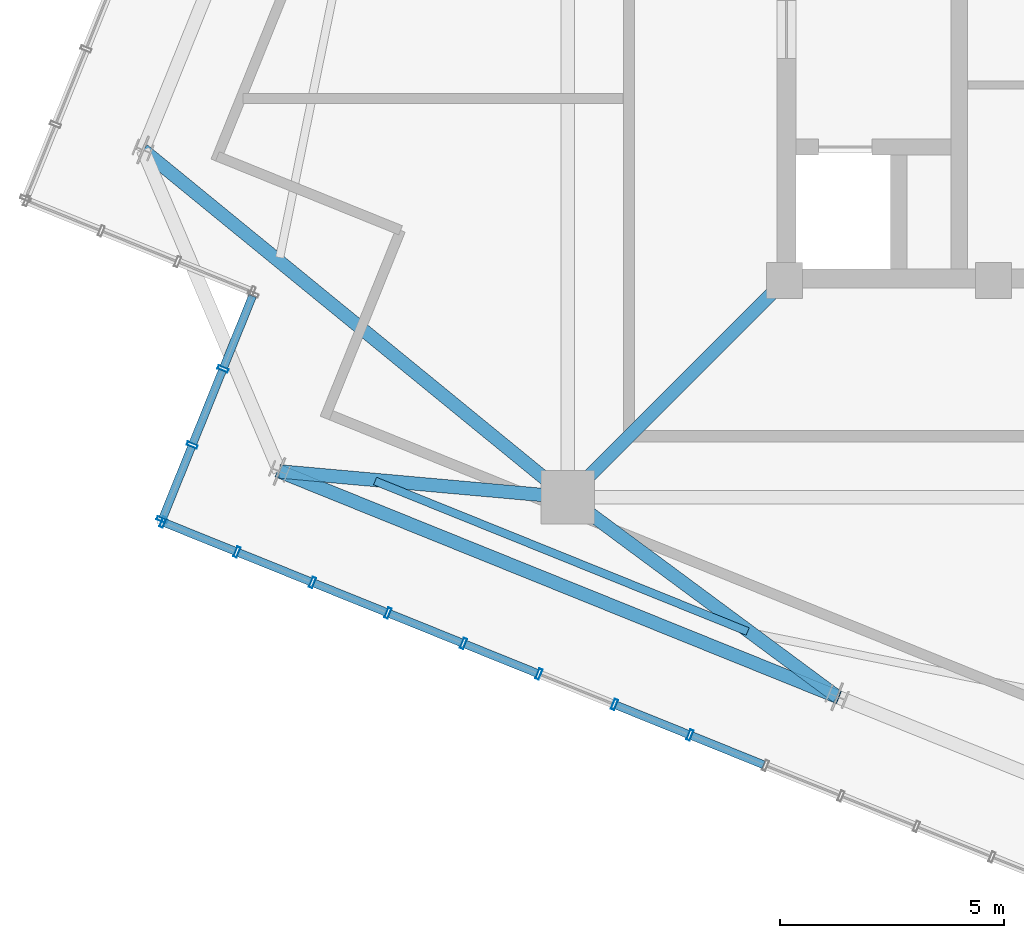
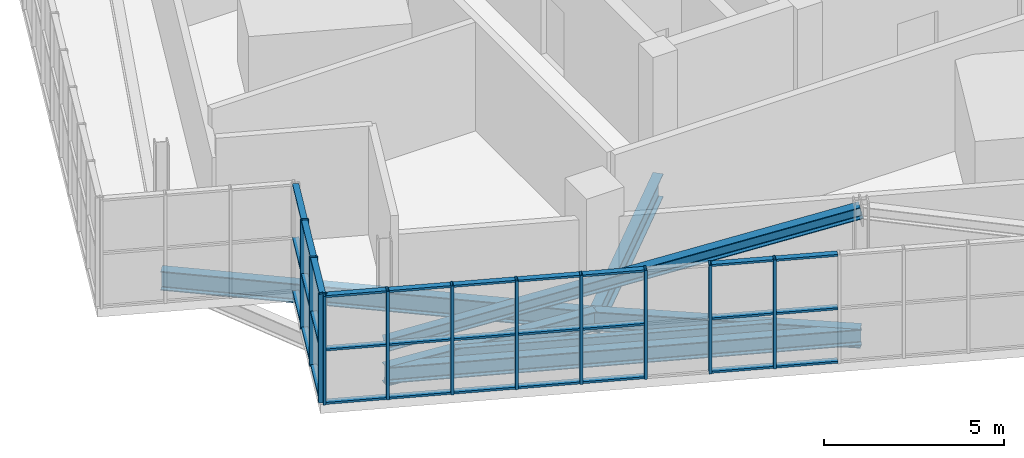
# One storey, part 3 of 26: 42 members, 6 beams, 2 elements without a shape of their own.
"""IFC4 building model written with IfcOpenShell, lengths in metres."""

from ifc_helpers import new_model, si_unit, direction, frame, origin, origin_2d, place, context, subcontext, project, spatial, hollow_rectangle, i_section, extrude, source, transform, mapped, material, layer, layer_set, material_profile, profile_set, type_object, element, aggregate, save


model = new_model("IFC4")

# Units and contexts
model_context = context("Model", 3, precision=1e-05, world=origin(), true_north=direction((0.0, 1.0)))
body_context = subcontext(model_context, "Body", "Model", "MODEL_VIEW")
ifc_project = project(units=[si_unit("LENGTHUNIT", "METRE"), si_unit("AREAUNIT", "SQUARE_METRE"), si_unit("VOLUMEUNIT", "CUBIC_METRE"), si_unit("PLANEANGLEUNIT", "RADIAN"), si_unit("MASSUNIT", "GRAM", prefix="KILO"), si_unit("THERMODYNAMICTEMPERATUREUNIT", "KELVIN")], contexts=[model_context])

# Site, building, storey
site_placement = place(None, origin())
site = spatial("IfcSite", under=ifc_project, at=site_placement, CompositionType="ELEMENT")
building_placement = place(site_placement, origin())
building = spatial("IfcBuilding", under=site, at=building_placement, Name="Kosmvard Interchange Tower", CompositionType="ELEMENT")
storey_placement = place(building_placement, frame((0.0, 0.0, 337.60009765625)))
storey = spatial("IfcBuildingStorey", under=building, at=storey_placement, Name="L83", CompositionType="ELEMENT", Elevation=337.60009765625)

# Beam
ifc_material_1 = material(Name="Steel S355", Category="steel")
ifc_material_profile_1 = material_profile(ifc_material_1, i_section(OverallWidth=0.300048828125, OverallDepth=0.800048828125, WebThickness=0.017578125, FlangeThickness=0.032958984375, FilletRadius=0.027099609375, at=origin_2d()), Name="HEB 800")
ifc_profile_set_1 = profile_set([ifc_material_profile_1], Name="Steel S355")
beam_type_1 = type_object("IfcBeamType", Name="Primary Mega-Frame Girder HEB 800 S355", PredefinedType="BEAM", material=ifc_profile_set_1)
shared_shape_1 = source(origin(), body_context, "Body", "SweptSolid", [
    extrude(i_section(OverallWidth=0.300048828125, OverallDepth=0.800048828125, WebThickness=0.017578125, FlangeThickness=0.032958984375, FilletRadius=0.027099609375, at=origin_2d()), origin(), (0.0, 0.0, 1.0), 6.83203125),
])
beam_1_placement = place(storey_placement, frame((-8.25, -8.25, -0.7001953125), z_axis=(-0.707106781187, -0.707106781187, 0.0), x_axis=(0.707106781187, -0.707106781187, 0.0)))
element("IfcBeam", 1, at=beam_1_placement, inside=storey, type_object=beam_type_1, Name="L83 Radial Mega-Frame Girder 1", PredefinedType="BEAM", context=body_context, shape_type="MappedRepresentation", body=[
    mapped(shared_shape_1, transform((0.0, 0.0, 0.0), scale=1.0)),
])

# Member
ifc_material_profile_2 = material_profile(ifc_material_1, i_section(OverallWidth=0.300048828125, OverallDepth=0.39990234375, WebThickness=0.013427734375, FlangeThickness=0.02392578125, FilletRadius=0.027099609375, at=origin_2d()), Name="HEB 400")
ifc_profile_set_2 = profile_set([ifc_material_profile_2], Name="Steel S355")
member_type_1 = type_object("IfcMemberType", Name="Lantern Crown Diagrid Brace HEB 400 S355", PredefinedType="BRACE", material=ifc_profile_set_2)
shared_shape_2 = source(origin(), body_context, "Body", "SweptSolid", [
    extrude(i_section(OverallWidth=0.300048828125, OverallDepth=0.39990234375, WebThickness=0.013427734375, FlangeThickness=0.02392578125, FilletRadius=0.027099609375, at=origin_2d()), origin(), (0.0, 0.0, 1.0), 13.78369140625),
])
member_1_placement = place(storey_placement, frame((-19.50439453125, -12.504150390625, 0.419921875), z_axis=(0.901373372792, -0.364162635972, 0.234332279859), x_axis=(0.374592580972, 0.927189515839, 0.0)))
element("IfcMember", 2, at=member_1_placement, inside=storey, type_object=member_type_1, Name="L83 Crown Lantern Diagrid Brace W1", PredefinedType="BRACE", context=body_context, shape_type="MappedRepresentation", body=[
    mapped(shared_shape_2, transform((0.0, 0.0, 0.0), scale=1.0)),
])

# Beams
ifc_material_profile_3 = material_profile(ifc_material_1, i_section(OverallWidth=0.300048828125, OverallDepth=0.550048828125, WebThickness=0.014892578125, FlangeThickness=0.029052734375, FilletRadius=0.027099609375, at=origin_2d()), Name="HEB 550")
ifc_profile_set_3 = profile_set([ifc_material_profile_3], Name="Steel S355")
beam_type_2 = type_object("IfcBeamType", Name="Crown Ring Cap Girder HEB 550 S355", PredefinedType="BEAM", material=ifc_profile_set_3)
shared_shape_3 = source(origin(), body_context, "Body", "SweptSolid", [
    extrude(i_section(OverallWidth=0.300048828125, OverallDepth=0.550048828125, WebThickness=0.014892578125, FlangeThickness=0.029052734375, FilletRadius=0.027099609375, at=origin_2d()), origin(), (0.0, 0.0, 1.0), 13.39990234375),
])
beam_2_placement = place(storey_placement, frame((-19.50439453125, -12.504150390625, -0.5751953125), z_axis=(0.927189515839, -0.374592580972, 0.0), x_axis=(0.374592580972, 0.927189515839, 0.0)))
element("IfcBeam", 3, at=beam_2_placement, inside=storey, type_object=beam_type_2, Name="BM-L83-PR10", PredefinedType="BEAM", context=body_context, shape_type="MappedRepresentation", body=[
    mapped(shared_shape_3, transform((0.0, 0.0, 0.0), scale=1.0)),
])
ifc_material_profile_4 = material_profile(ifc_material_1, i_section(OverallWidth=0.300048828125, OverallDepth=0.64990234375, WebThickness=0.01611328125, FlangeThickness=0.031005859375, FilletRadius=0.027099609375, at=origin_2d()), Name="HEB 650")
ifc_profile_set_4 = profile_set([ifc_material_profile_4], Name="Steel S355")
beam_type_3 = type_object("IfcBeamType", Name="Primary Floor Girder HEB 650 S355", PredefinedType="BEAM", material=ifc_profile_set_4)
shared_shape_4 = source(origin(), body_context, "Body", "SweptSolid", [
    extrude(i_section(OverallWidth=0.300048828125, OverallDepth=0.64990234375, WebThickness=0.01611328125, FlangeThickness=0.031005859375, FilletRadius=0.027099609375, at=origin_2d()), origin(), (0.0, 0.0, 1.0), 6.44921875),
])
beam_3_placement = place(storey_placement, frame((-13.0810546875, -13.0810546875, -0.625), z_axis=(-0.995990982197, 0.089453694068, 0.0), x_axis=(-0.089453694068, -0.995990982197, 0.0)))
element("IfcBeam", 4, at=beam_3_placement, inside=storey, type_object=beam_type_3, Name="BM-L83-RD10", PredefinedType="BEAM", context=body_context, shape_type="MappedRepresentation", body=[
    mapped(shared_shape_4, transform((0.0, 0.0, 0.0), scale=1.0)),
])
shared_shape_5 = source(origin(), body_context, "Body", "SweptSolid", [
    extrude(i_section(OverallWidth=0.300048828125, OverallDepth=0.64990234375, WebThickness=0.01611328125, FlangeThickness=0.031005859375, FilletRadius=0.027099609375, at=origin_2d()), origin(), (0.0, 0.0, 1.0), 7.466552734375),
])
beam_4_placement = place(storey_placement, frame((-13.0810546875, -13.0810546875, -0.625), z_axis=(0.803719929879, -0.595007793491, 0.0), x_axis=(0.595007793491, 0.803719929879, 0.0)))
element("IfcBeam", 5, at=beam_4_placement, inside=storey, type_object=beam_type_3, Name="BM-L83-RD11", PredefinedType="BEAM", context=body_context, shape_type="MappedRepresentation", body=[
    mapped(shared_shape_5, transform((0.0, 0.0, 0.0), scale=1.0)),
])
shared_shape_6 = source(origin(), body_context, "Body", "SweptSolid", [
    extrude(i_section(OverallWidth=0.300048828125, OverallDepth=0.64990234375, WebThickness=0.01611328125, FlangeThickness=0.031005859375, FilletRadius=0.027099609375, at=origin_2d()), origin(), (0.0, 0.0, 1.0), 12.22265625),
])
beam_5_placement = place(storey_placement, frame((-13.0810546875, -13.0810546875, -0.625), z_axis=(-0.774163725034, 0.632985408079, 0.0), x_axis=(-0.632985408079, -0.774163725034, 0.0)))
element("IfcBeam", 6, at=beam_5_placement, inside=storey, type_object=beam_type_3, Name="BM-L83-RD09", PredefinedType="BEAM", context=body_context, shape_type="MappedRepresentation", body=[
    mapped(shared_shape_6, transform((0.0, 0.0, 0.0), scale=1.0)),
])
ifc_material_profile_5 = material_profile(ifc_material_1, i_section(OverallWidth=0.179931640625, OverallDepth=0.39990234375, WebThickness=0.008544921875, FlangeThickness=0.013427734375, FilletRadius=0.02099609375, at=origin_2d()), Name="IPE 400")
ifc_profile_set_5 = profile_set([ifc_material_profile_5], Name="Steel S355")
beam_type_4 = type_object("IfcBeamType", Name="Upper-Zone Floor Joist IPE 400 S355", PredefinedType="JOIST", material=ifc_profile_set_5)
shared_shape_7 = source(origin(), body_context, "Body", "SweptSolid", [
    extrude(i_section(OverallWidth=0.179931640625, OverallDepth=0.39990234375, WebThickness=0.008544921875, FlangeThickness=0.013427734375, FilletRadius=0.02099609375, at=origin_2d()), origin(), (0.0, 0.0, 1.0), 8.9521484375),
])
beam_6_placement = place(storey_placement, frame((-17.374755859375, -12.71875, -0.5), z_axis=(0.927194118723, -0.374581187736, 0.0), x_axis=(0.374581187736, 0.927194118723, 0.0)))
element("IfcBeam", 7, at=beam_6_placement, inside=storey, type_object=beam_type_4, Name="BM-L83-FJ07", PredefinedType="JOIST", context=body_context, shape_type="MappedRepresentation", body=[
    mapped(shared_shape_7, transform((0.0, 0.0, 0.0), scale=1.0)),
])

# Curtain wall, members
ifc_material_2 = material(Name="Architectural anodised aluminium", Category="aluminium")
ifc_layer = layer(ifc_material_2, 0.25, Name="Architectural anodised aluminium")
ifc_layer_set = layer_set([ifc_layer], Name="Architectural anodised aluminium")
curtain_wall_type = type_object("IfcCurtainWallType", Name="CW-6 Illuminated Crown Lantern Curtain Wall", PredefinedType="NOTDEFINED", material=ifc_layer_set)
curtain_wall_1_placement = place(storey_placement, origin())
curtain_wall_1 = element("IfcCurtainWall", 8, at=curtain_wall_1_placement, inside=storey, type_object=curtain_wall_type, Name="L83 Crown Lantern Glazing Face 09", PredefinedType="NOTDEFINED")
ifc_material_profile_6 = material_profile(ifc_material_2, hollow_rectangle(XDim=0.239990234375, YDim=0.080078125, WallThickness=0.006103515625, at=origin_2d()), Name="CWM 240x80x6")
ifc_profile_set_6 = profile_set([ifc_material_profile_6], Name="Architectural anodised aluminium")
member_type_2 = type_object("IfcMemberType", Name="Lantern & Observation CW Mullion 240x80 Aluminium", PredefinedType="MULLION", material=ifc_profile_set_6)
shared_shape_8 = source(origin(), body_context, "Body", "SweptSolid", [
    extrude(hollow_rectangle(XDim=0.239990234375, YDim=0.080078125, WallThickness=0.006103515625, at=origin_2d()), origin(), (0.0, 0.0, 1.0), 3.699951171875),
])
member_2_placement = place(storey_placement, frame((-20.760498046875, -10.220458984375, 0.0), z_axis=(0.0, 0.0, 1.0), x_axis=(0.927183891631, -0.374606501678, 0.0)))
member_2 = element("IfcMember", 9, at=member_2_placement, type_object=member_type_2, Name="CW-6 mullion 2", PredefinedType="MULLION", context=body_context, shape_type="MappedRepresentation", body=[
    mapped(shared_shape_8, transform((0.0, 0.0, 0.0), scale=1.0)),
])
member_3_placement = place(storey_placement, frame((-21.447265625, -11.92041015625, 0.0), z_axis=(0.0, 0.0, 1.0), x_axis=(0.927183891631, -0.374606501678, 0.0)))
member_3 = element("IfcMember", 10, at=member_3_placement, type_object=member_type_2, Name="CW-6 mullion 3", PredefinedType="MULLION", context=body_context, shape_type="MappedRepresentation", body=[
    mapped(shared_shape_8, transform((0.0, 0.0, 0.0), scale=1.0)),
])
member_4_placement = place(storey_placement, frame((-22.118896484375, -13.583251953125, 0.0), z_axis=(0.0, 0.0, 1.0), x_axis=(0.927183891631, -0.374606501678, 0.0)))
member_4 = element("IfcMember", 11, at=member_4_placement, type_object=member_type_2, Name="CW-6 mullion 4", PredefinedType="MULLION", context=body_context, shape_type="MappedRepresentation", body=[
    mapped(shared_shape_8, transform((0.0, 0.0, 0.0), scale=1.0)),
])

curtain_wall_2_placement = place(storey_placement, origin())
curtain_wall_2 = element("IfcCurtainWall", 12, at=curtain_wall_2_placement, inside=storey, type_object=curtain_wall_type, Name="L83 Crown Lantern Glazing Face 10", PredefinedType="NOTDEFINED")
member_5_placement = place(storey_placement, frame((-22.096923828125, -13.63525390625, 0.0), z_axis=(0.0, 0.0, 1.0), x_axis=(0.374606584758, 0.927183858065, 0.0)))
member_5 = element("IfcMember", 13, at=member_5_placement, type_object=member_type_2, Name="CW-6 mullion 1", PredefinedType="MULLION", context=body_context, shape_type="MappedRepresentation", body=[
    mapped(shared_shape_8, transform((0.0, 0.0, 0.0), scale=1.0)),
])
member_6_placement = place(storey_placement, frame((-20.451904296875, -14.2998046875, 0.0), z_axis=(0.0, 0.0, 1.0), x_axis=(0.374606584758, 0.927183858065, 0.0)))
member_6 = element("IfcMember", 14, at=member_6_placement, type_object=member_type_2, Name="CW-6 mullion 2", PredefinedType="MULLION", context=body_context, shape_type="MappedRepresentation", body=[
    mapped(shared_shape_8, transform((0.0, 0.0, 0.0), scale=1.0)),
])
member_7_placement = place(storey_placement, frame((-18.77001953125, -14.9794921875, 0.0), z_axis=(0.0, 0.0, 1.0), x_axis=(0.374606584758, 0.927183858065, 0.0)))
member_7 = element("IfcMember", 15, at=member_7_placement, type_object=member_type_2, Name="CW-6 mullion 3", PredefinedType="MULLION", context=body_context, shape_type="MappedRepresentation", body=[
    mapped(shared_shape_8, transform((0.0, 0.0, 0.0), scale=1.0)),
])
member_8_placement = place(storey_placement, frame((-17.087890625, -15.658935546875, 0.0), z_axis=(0.0, 0.0, 1.0), x_axis=(0.374606584758, 0.927183858065, 0.0)))
member_8 = element("IfcMember", 16, at=member_8_placement, type_object=member_type_2, Name="CW-6 mullion 4", PredefinedType="MULLION", context=body_context, shape_type="MappedRepresentation", body=[
    mapped(shared_shape_8, transform((0.0, 0.0, 0.0), scale=1.0)),
])
member_9_placement = place(storey_placement, frame((-15.40576171875, -16.338623046875, 0.0), z_axis=(0.0, 0.0, 1.0), x_axis=(0.374606584758, 0.927183858065, 0.0)))
member_9 = element("IfcMember", 17, at=member_9_placement, type_object=member_type_2, Name="CW-6 mullion 5", PredefinedType="MULLION", context=body_context, shape_type="MappedRepresentation", body=[
    mapped(shared_shape_8, transform((0.0, 0.0, 0.0), scale=1.0)),
])
member_10_placement = place(storey_placement, frame((-13.723876953125, -17.01806640625, 0.0), z_axis=(0.0, 0.0, 1.0), x_axis=(0.374606584758, 0.927183858065, 0.0)))
member_10 = element("IfcMember", 18, at=member_10_placement, type_object=member_type_2, Name="CW-6 mullion 6", PredefinedType="MULLION", context=body_context, shape_type="MappedRepresentation", body=[
    mapped(shared_shape_8, transform((0.0, 0.0, 0.0), scale=1.0)),
])
member_11_placement = place(storey_placement, frame((-12.041748046875, -17.69775390625, 0.0), z_axis=(0.0, 0.0, 1.0), x_axis=(0.374606584758, 0.927183858065, 0.0)))
member_11 = element("IfcMember", 19, at=member_11_placement, type_object=member_type_2, Name="CW-6 mullion 7", PredefinedType="MULLION", context=body_context, shape_type="MappedRepresentation", body=[
    mapped(shared_shape_8, transform((0.0, 0.0, 0.0), scale=1.0)),
])
member_12_placement = place(storey_placement, frame((-10.35986328125, -18.377197265625, 0.0), z_axis=(0.0, 0.0, 1.0), x_axis=(0.374606584758, 0.927183858065, 0.0)))
member_12 = element("IfcMember", 20, at=member_12_placement, type_object=member_type_2, Name="CW-6 mullion 8", PredefinedType="MULLION", context=body_context, shape_type="MappedRepresentation", body=[
    mapped(shared_shape_8, transform((0.0, 0.0, 0.0), scale=1.0)),
])
ifc_material_profile_7 = material_profile(ifc_material_2, hollow_rectangle(XDim=0.179931640625, YDim=0.070068359375, WallThickness=0.0048828125, at=origin_2d()), Name="CWT 180x70x5")
ifc_profile_set_7 = profile_set([ifc_material_profile_7], Name="Architectural anodised aluminium")
member_type_3 = type_object("IfcMemberType", Name="Heavy Lantern CW Transom 180x70 Aluminium", PredefinedType="USERDEFINED", material=ifc_profile_set_7)
shared_shape_9 = source(origin(), body_context, "Body", "SweptSolid", [
    extrude(hollow_rectangle(XDim=0.179931640625, YDim=0.070068359375, WallThickness=0.0048828125, at=origin_2d()), origin(), (0.0, 0.0, 1.0), 1.694091796875),
])
member_13_placement = place(storey_placement, frame((-22.059814453125, -13.650146484375, 0.034912109375), z_axis=(0.927159064032, -0.374667946298, 0.0), x_axis=(0.374667946298, 0.927159064032, 0.0)))
member_13 = element("IfcMember", 21, at=member_13_placement, type_object=member_type_3, Name="CW-6 transom 1.1", ObjectType="TRANSOM", PredefinedType="USERDEFINED", context=body_context, shape_type="MappedRepresentation", body=[
    mapped(shared_shape_9, transform((0.0, 0.0, 0.0), scale=1.0)),
])
member_14_placement = place(storey_placement, frame((-22.059814453125, -13.650146484375, 1.849853515625), z_axis=(0.927159064032, -0.374667946298, 0.0), x_axis=(0.374667946298, 0.927159064032, 0.0)))
member_14 = element("IfcMember", 22, at=member_14_placement, type_object=member_type_3, Name="CW-6 transom 1.2", ObjectType="TRANSOM", PredefinedType="USERDEFINED", context=body_context, shape_type="MappedRepresentation", body=[
    mapped(shared_shape_9, transform((0.0, 0.0, 0.0), scale=1.0)),
])
member_15_placement = place(storey_placement, frame((-22.059814453125, -13.650146484375, 3.664794921875), z_axis=(0.927159064032, -0.374667946298, 0.0), x_axis=(0.374667946298, 0.927159064032, 0.0)))
member_15 = element("IfcMember", 23, at=member_15_placement, type_object=member_type_3, Name="CW-6 transom 1.3", ObjectType="TRANSOM", PredefinedType="USERDEFINED", context=body_context, shape_type="MappedRepresentation", body=[
    mapped(shared_shape_9, transform((0.0, 0.0, 0.0), scale=1.0)),
])
shared_shape_10 = source(origin(), body_context, "Body", "SweptSolid", [
    extrude(hollow_rectangle(XDim=0.179931640625, YDim=0.070068359375, WallThickness=0.0048828125, at=origin_2d()), origin(), (0.0, 0.0, 1.0), 1.734130859375),
])
member_16_placement = place(storey_placement, frame((-20.414794921875, -14.314697265625, 0.034912109375), z_axis=(0.927179782522, -0.374616671924, 0.0), x_axis=(0.374616671924, 0.927179782522, 0.0)))
member_16 = element("IfcMember", 24, at=member_16_placement, type_object=member_type_3, Name="CW-6 transom 2.1", ObjectType="TRANSOM", PredefinedType="USERDEFINED", context=body_context, shape_type="MappedRepresentation", body=[
    mapped(shared_shape_10, transform((0.0, 0.0, 0.0), scale=1.0)),
])
member_17_placement = place(storey_placement, frame((-20.414794921875, -14.314697265625, 1.849853515625), z_axis=(0.927179782522, -0.374616671924, 0.0), x_axis=(0.374616671924, 0.927179782522, 0.0)))
member_17 = element("IfcMember", 25, at=member_17_placement, type_object=member_type_3, Name="CW-6 transom 2.2", ObjectType="TRANSOM", PredefinedType="USERDEFINED", context=body_context, shape_type="MappedRepresentation", body=[
    mapped(shared_shape_10, transform((0.0, 0.0, 0.0), scale=1.0)),
])
member_18_placement = place(storey_placement, frame((-20.414794921875, -14.314697265625, 3.664794921875), z_axis=(0.927179782522, -0.374616671924, 0.0), x_axis=(0.374616671924, 0.927179782522, 0.0)))
member_18 = element("IfcMember", 26, at=member_18_placement, type_object=member_type_3, Name="CW-6 transom 2.3", ObjectType="TRANSOM", PredefinedType="USERDEFINED", context=body_context, shape_type="MappedRepresentation", body=[
    mapped(shared_shape_10, transform((0.0, 0.0, 0.0), scale=1.0)),
])
member_19_placement = place(storey_placement, frame((-18.73291015625, -14.994384765625, 0.034912109375), z_axis=(0.927179782522, -0.374616671924, 0.0), x_axis=(0.374616671924, 0.927179782522, 0.0)))
member_19 = element("IfcMember", 27, at=member_19_placement, type_object=member_type_3, Name="CW-6 transom 3.1", ObjectType="TRANSOM", PredefinedType="USERDEFINED", context=body_context, shape_type="MappedRepresentation", body=[
    mapped(shared_shape_10, transform((0.0, 0.0, 0.0), scale=1.0)),
])
member_20_placement = place(storey_placement, frame((-18.73291015625, -14.994384765625, 1.849853515625), z_axis=(0.927179782522, -0.374616671924, 0.0), x_axis=(0.374616671924, 0.927179782522, 0.0)))
member_20 = element("IfcMember", 28, at=member_20_placement, type_object=member_type_3, Name="CW-6 transom 3.2", ObjectType="TRANSOM", PredefinedType="USERDEFINED", context=body_context, shape_type="MappedRepresentation", body=[
    mapped(shared_shape_10, transform((0.0, 0.0, 0.0), scale=1.0)),
])
member_21_placement = place(storey_placement, frame((-18.73291015625, -14.994384765625, 3.664794921875), z_axis=(0.927179782522, -0.374616671924, 0.0), x_axis=(0.374616671924, 0.927179782522, 0.0)))
member_21 = element("IfcMember", 29, at=member_21_placement, type_object=member_type_3, Name="CW-6 transom 3.3", ObjectType="TRANSOM", PredefinedType="USERDEFINED", context=body_context, shape_type="MappedRepresentation", body=[
    mapped(shared_shape_10, transform((0.0, 0.0, 0.0), scale=1.0)),
])
member_22_placement = place(storey_placement, frame((-17.05078125, -15.674072265625, 0.034912109375), z_axis=(0.927228675447, -0.374495638732, 0.0), x_axis=(0.374495638732, 0.927228675447, 0.0)))
member_22 = element("IfcMember", 30, at=member_22_placement, type_object=member_type_3, Name="CW-6 transom 4.1", ObjectType="TRANSOM", PredefinedType="USERDEFINED", context=body_context, shape_type="MappedRepresentation", body=[
    mapped(shared_shape_10, transform((0.0, 0.0, 0.0), scale=1.0)),
])
member_23_placement = place(storey_placement, frame((-17.05078125, -15.674072265625, 1.849853515625), z_axis=(0.927228675447, -0.374495638732, 0.0), x_axis=(0.374495638732, 0.927228675447, 0.0)))
member_23 = element("IfcMember", 31, at=member_23_placement, type_object=member_type_3, Name="CW-6 transom 4.2", ObjectType="TRANSOM", PredefinedType="USERDEFINED", context=body_context, shape_type="MappedRepresentation", body=[
    mapped(shared_shape_10, transform((0.0, 0.0, 0.0), scale=1.0)),
])
member_24_placement = place(storey_placement, frame((-17.05078125, -15.674072265625, 3.664794921875), z_axis=(0.927228675447, -0.374495638732, 0.0), x_axis=(0.374495638732, 0.927228675447, 0.0)))
member_24 = element("IfcMember", 32, at=member_24_placement, type_object=member_type_3, Name="CW-6 transom 4.3", ObjectType="TRANSOM", PredefinedType="USERDEFINED", context=body_context, shape_type="MappedRepresentation", body=[
    mapped(shared_shape_10, transform((0.0, 0.0, 0.0), scale=1.0)),
])
member_25_placement = place(storey_placement, frame((-15.368896484375, -16.353515625, 0.034912109375), z_axis=(0.927179782522, -0.374616671924, 0.0), x_axis=(0.374616671924, 0.927179782522, 0.0)))
member_25 = element("IfcMember", 33, at=member_25_placement, type_object=member_type_3, Name="CW-6 transom 5.1", ObjectType="TRANSOM", PredefinedType="USERDEFINED", context=body_context, shape_type="MappedRepresentation", body=[
    mapped(shared_shape_10, transform((0.0, 0.0, 0.0), scale=1.0)),
])
member_26_placement = place(storey_placement, frame((-15.368896484375, -16.353515625, 1.849853515625), z_axis=(0.927179782522, -0.374616671924, 0.0), x_axis=(0.374616671924, 0.927179782522, 0.0)))
member_26 = element("IfcMember", 34, at=member_26_placement, type_object=member_type_3, Name="CW-6 transom 5.2", ObjectType="TRANSOM", PredefinedType="USERDEFINED", context=body_context, shape_type="MappedRepresentation", body=[
    mapped(shared_shape_10, transform((0.0, 0.0, 0.0), scale=1.0)),
])
member_27_placement = place(storey_placement, frame((-15.368896484375, -16.353515625, 3.664794921875), z_axis=(0.927179782522, -0.374616671924, 0.0), x_axis=(0.374616671924, 0.927179782522, 0.0)))
member_27 = element("IfcMember", 35, at=member_27_placement, type_object=member_type_3, Name="CW-6 transom 5.3", ObjectType="TRANSOM", PredefinedType="USERDEFINED", context=body_context, shape_type="MappedRepresentation", body=[
    mapped(shared_shape_10, transform((0.0, 0.0, 0.0), scale=1.0)),
])
member_28_placement = place(storey_placement, frame((-10.32275390625, -18.392333984375, 0.034912109375), z_axis=(0.927179782522, -0.374616671924, 0.0), x_axis=(0.374616671924, 0.927179782522, 0.0)))
member_28 = element("IfcMember", 36, at=member_28_placement, type_object=member_type_3, Name="CW-6 transom 8.1", ObjectType="TRANSOM", PredefinedType="USERDEFINED", context=body_context, shape_type="MappedRepresentation", body=[
    mapped(shared_shape_10, transform((0.0, 0.0, 0.0), scale=1.0)),
])
member_29_placement = place(storey_placement, frame((-10.32275390625, -18.392333984375, 1.849853515625), z_axis=(0.927179782522, -0.374616671924, 0.0), x_axis=(0.374616671924, 0.927179782522, 0.0)))
member_29 = element("IfcMember", 37, at=member_29_placement, type_object=member_type_3, Name="CW-6 transom 8.2", ObjectType="TRANSOM", PredefinedType="USERDEFINED", context=body_context, shape_type="MappedRepresentation", body=[
    mapped(shared_shape_10, transform((0.0, 0.0, 0.0), scale=1.0)),
])
member_30_placement = place(storey_placement, frame((-10.32275390625, -18.392333984375, 3.664794921875), z_axis=(0.927179782522, -0.374616671924, 0.0), x_axis=(0.374616671924, 0.927179782522, 0.0)))
member_30 = element("IfcMember", 38, at=member_30_placement, type_object=member_type_3, Name="CW-6 transom 8.3", ObjectType="TRANSOM", PredefinedType="USERDEFINED", context=body_context, shape_type="MappedRepresentation", body=[
    mapped(shared_shape_10, transform((0.0, 0.0, 0.0), scale=1.0)),
])
shared_shape_11 = source(origin(), body_context, "Body", "SweptSolid", [
    extrude(hollow_rectangle(XDim=0.179931640625, YDim=0.070068359375, WallThickness=0.0048828125, at=origin_2d()), origin(), (0.0, 0.0, 1.0), 1.73388671875),
])
member_31_placement = place(storey_placement, frame((-12.004638671875, -17.712646484375, 0.034912109375), z_axis=(0.927160021861, -0.374665576032, 0.0), x_axis=(0.374665576032, 0.927160021861, 0.0)))
member_31 = element("IfcMember", 39, at=member_31_placement, type_object=member_type_3, Name="CW-6 transom 7.1", ObjectType="TRANSOM", PredefinedType="USERDEFINED", context=body_context, shape_type="MappedRepresentation", body=[
    mapped(shared_shape_11, transform((0.0, 0.0, 0.0), scale=1.0)),
])
member_32_placement = place(storey_placement, frame((-12.004638671875, -17.712646484375, 1.849853515625), z_axis=(0.927160021861, -0.374665576032, 0.0), x_axis=(0.374665576032, 0.927160021861, 0.0)))
member_32 = element("IfcMember", 40, at=member_32_placement, type_object=member_type_3, Name="CW-6 transom 7.2", ObjectType="TRANSOM", PredefinedType="USERDEFINED", context=body_context, shape_type="MappedRepresentation", body=[
    mapped(shared_shape_11, transform((0.0, 0.0, 0.0), scale=1.0)),
])
member_33_placement = place(storey_placement, frame((-12.004638671875, -17.712646484375, 3.664794921875), z_axis=(0.927160021861, -0.374665576032, 0.0), x_axis=(0.374665576032, 0.927160021861, 0.0)))
member_33 = element("IfcMember", 41, at=member_33_placement, type_object=member_type_3, Name="CW-6 transom 7.3", ObjectType="TRANSOM", PredefinedType="USERDEFINED", context=body_context, shape_type="MappedRepresentation", body=[
    mapped(shared_shape_11, transform((0.0, 0.0, 0.0), scale=1.0)),
])
aggregate(curtain_wall_2, [member_5, member_6, member_7, member_8, member_9, member_10, member_11, member_12, member_13, member_14, member_15, member_16, member_17, member_18, member_19, member_20, member_21, member_22, member_23, member_24, member_25, member_26, member_27, member_31, member_32, member_33, member_28, member_29, member_30])

# Member
shared_shape_12 = source(origin(), body_context, "Body", "SweptSolid", [
    extrude(hollow_rectangle(XDim=0.179931640625, YDim=0.070068359375, WallThickness=0.0048828125, at=origin_2d()), origin(), (0.0, 0.0, 1.0), 1.71337890625),
])
member_34_placement = place(storey_placement, frame((-20.103515625, -8.594970703125, 0.034912109375), z_axis=(-0.374606758599, -0.927183787829, 0.0), x_axis=(0.927183787829, -0.374606758599, 0.0)))
member_34 = element("IfcMember", 42, at=member_34_placement, type_object=member_type_3, Name="CW-6 transom 1.1", ObjectType="TRANSOM", PredefinedType="USERDEFINED", context=body_context, shape_type="MappedRepresentation", body=[
    mapped(shared_shape_12, transform((0.0, 0.0, 0.0), scale=1.0)),
])

member_35_placement = place(storey_placement, frame((-20.103515625, -8.594970703125, 1.849853515625), z_axis=(-0.374606758599, -0.927183787829, 0.0), x_axis=(0.927183787829, -0.374606758599, 0.0)))
member_35 = element("IfcMember", 43, at=member_35_placement, type_object=member_type_3, Name="CW-6 transom 1.2", ObjectType="TRANSOM", PredefinedType="USERDEFINED", context=body_context, shape_type="MappedRepresentation", body=[
    mapped(shared_shape_12, transform((0.0, 0.0, 0.0), scale=1.0)),
])

member_36_placement = place(storey_placement, frame((-20.103515625, -8.594970703125, 3.664794921875), z_axis=(-0.374606758599, -0.927183787829, 0.0), x_axis=(0.927183787829, -0.374606758599, 0.0)))
member_36 = element("IfcMember", 44, at=member_36_placement, type_object=member_type_3, Name="CW-6 transom 1.3", ObjectType="TRANSOM", PredefinedType="USERDEFINED", context=body_context, shape_type="MappedRepresentation", body=[
    mapped(shared_shape_12, transform((0.0, 0.0, 0.0), scale=1.0)),
])

member_37_placement = place(storey_placement, frame((-21.462158203125, -11.95751953125, 0.034912109375), z_axis=(-0.374606758599, -0.927183787829, 0.0), x_axis=(0.927183787829, -0.374606758599, 0.0)))
member_37 = element("IfcMember", 45, at=member_37_placement, type_object=member_type_3, Name="CW-6 transom 3.1", ObjectType="TRANSOM", PredefinedType="USERDEFINED", context=body_context, shape_type="MappedRepresentation", body=[
    mapped(shared_shape_12, transform((0.0, 0.0, 0.0), scale=1.0)),
])

member_38_placement = place(storey_placement, frame((-21.462158203125, -11.95751953125, 1.849853515625), z_axis=(-0.374606758599, -0.927183787829, 0.0), x_axis=(0.927183787829, -0.374606758599, 0.0)))
member_38 = element("IfcMember", 46, at=member_38_placement, type_object=member_type_3, Name="CW-6 transom 3.2", ObjectType="TRANSOM", PredefinedType="USERDEFINED", context=body_context, shape_type="MappedRepresentation", body=[
    mapped(shared_shape_12, transform((0.0, 0.0, 0.0), scale=1.0)),
])

member_39_placement = place(storey_placement, frame((-21.462158203125, -11.95751953125, 3.664794921875), z_axis=(-0.374606758599, -0.927183787829, 0.0), x_axis=(0.927183787829, -0.374606758599, 0.0)))
member_39 = element("IfcMember", 47, at=member_39_placement, type_object=member_type_3, Name="CW-6 transom 3.3", ObjectType="TRANSOM", PredefinedType="USERDEFINED", context=body_context, shape_type="MappedRepresentation", body=[
    mapped(shared_shape_12, transform((0.0, 0.0, 0.0), scale=1.0)),
])

shared_shape_13 = source(origin(), body_context, "Body", "SweptSolid", [
    extrude(hollow_rectangle(XDim=0.179931640625, YDim=0.070068359375, WallThickness=0.0048828125, at=origin_2d()), origin(), (0.0, 0.0, 1.0), 1.75341796875),
])
member_40_placement = place(storey_placement, frame((-20.775390625, -10.257568359375, 0.034912109375), z_axis=(-0.37455743912, -0.927203712676, 0.0), x_axis=(0.927203712676, -0.37455743912, 0.0)))
member_40 = element("IfcMember", 48, at=member_40_placement, type_object=member_type_3, Name="CW-6 transom 2.1", ObjectType="TRANSOM", PredefinedType="USERDEFINED", context=body_context, shape_type="MappedRepresentation", body=[
    mapped(shared_shape_13, transform((0.0, 0.0, 0.0), scale=1.0)),
])

member_41_placement = place(storey_placement, frame((-20.775390625, -10.257568359375, 1.849853515625), z_axis=(-0.37455743912, -0.927203712676, 0.0), x_axis=(0.927203712676, -0.37455743912, 0.0)))
member_41 = element("IfcMember", 49, at=member_41_placement, type_object=member_type_3, Name="CW-6 transom 2.2", ObjectType="TRANSOM", PredefinedType="USERDEFINED", context=body_context, shape_type="MappedRepresentation", body=[
    mapped(shared_shape_13, transform((0.0, 0.0, 0.0), scale=1.0)),
])

member_42_placement = place(storey_placement, frame((-20.775390625, -10.257568359375, 3.664794921875), z_axis=(-0.37455743912, -0.927203712676, 0.0), x_axis=(0.927203712676, -0.37455743912, 0.0)))
member_42 = element("IfcMember", 50, at=member_42_placement, type_object=member_type_3, Name="CW-6 transom 2.3", ObjectType="TRANSOM", PredefinedType="USERDEFINED", context=body_context, shape_type="MappedRepresentation", body=[
    mapped(shared_shape_13, transform((0.0, 0.0, 0.0), scale=1.0)),
])

aggregate(curtain_wall_1, [member_2, member_3, member_4, member_34, member_35, member_36, member_40, member_41, member_42, member_37, member_38, member_39])

save(model, "model.ifc")
